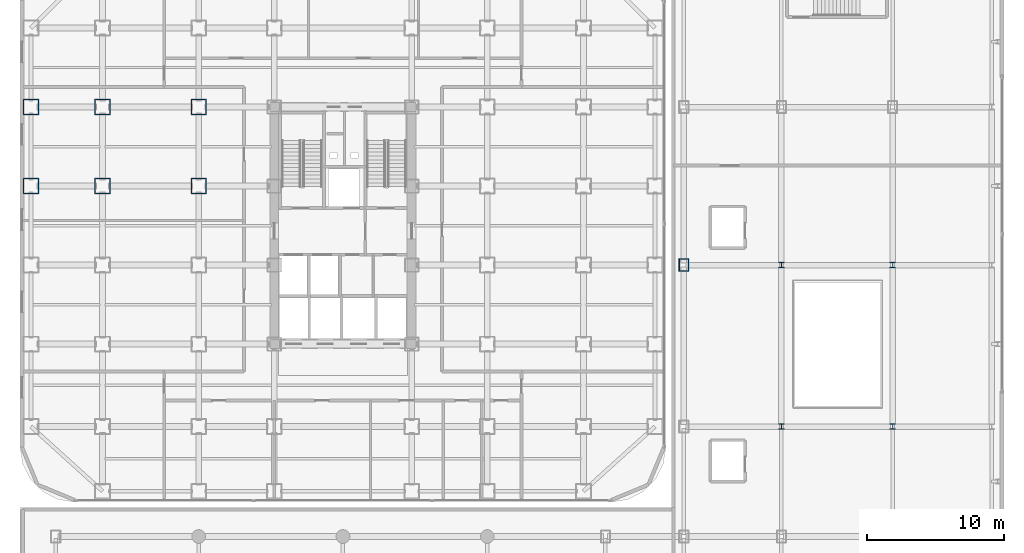
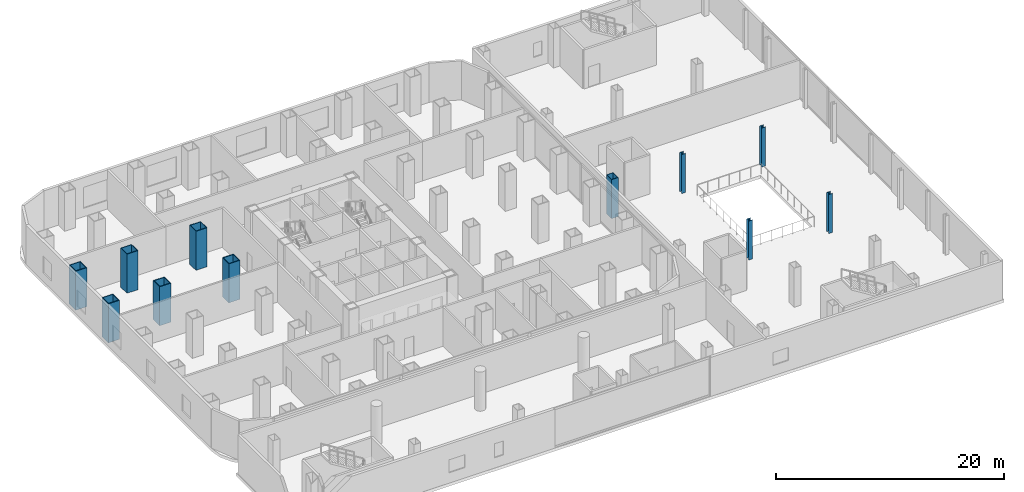
# One storey, part 2 of 27: 11 columns.
"""IFC4 building model written with IfcOpenShell, lengths in metres."""

from ifc_helpers import new_model, si_unit, direction, frame, origin, origin_2d, place, context, subcontext, project, spatial, hollow_rectangle, i_section, extrude, source, transform, mapped, material, material_profile, profile_set, type_object, element, save


model = new_model("IFC4")

# Units and contexts
model_context = context("Model", 3, precision=1e-05, world=origin(), true_north=direction((0.0, 1.0)))
body_context = subcontext(model_context, "Body", "Model", "MODEL_VIEW")
ifc_project = project(units=[si_unit("LENGTHUNIT", "METRE"), si_unit("AREAUNIT", "SQUARE_METRE"), si_unit("VOLUMEUNIT", "CUBIC_METRE"), si_unit("PLANEANGLEUNIT", "RADIAN"), si_unit("MASSUNIT", "GRAM", prefix="KILO")], contexts=[model_context])

# Site, building, storey
site_placement = place(None, origin())
site = spatial("IfcSite", under=ifc_project, at=site_placement, CompositionType="ELEMENT")
building_placement = place(site_placement, origin())
building = spatial("IfcBuilding", under=site, at=building_placement, Name="Kolveth Station Tower", CompositionType="ELEMENT")
storey_placement = place(building_placement, frame((0.0, 0.0, 13.5)))
storey = spatial("IfcBuildingStorey", under=building, at=storey_placement, Name="L03", CompositionType="ELEMENT", Elevation=13.5)

# Columns
ifc_material_1 = material(Name="Steel S460", Category="steel")
ifc_material_profile_1 = material_profile(ifc_material_1, hollow_rectangle(XDim=1.139892578125, YDim=1.139892578125, WallThickness=0.070068359375, at=origin_2d()), Name="BOX1140x1140x70")
ifc_profile_set_1 = profile_set([ifc_material_profile_1], Name="Steel S460")
column_type_1 = type_object("IfcColumnType", Name="Col_C1", PredefinedType="COLUMN", material=ifc_profile_set_1)
shared_shape_1 = source(origin(), body_context, "Body", "SweptSolid", [
    extrude(hollow_rectangle(XDim=1.139892578125, YDim=1.139892578125, WallThickness=0.070068359375, at=origin_2d()), origin(), (0.0, 0.0, 1.0), 4.179931640625),
])
for number, where, z_axis, x_axis, name in (
    (1, (0.800048828125, 23.0, 0.0), (0.0, 0.0, 1.0), (1.0, 0.0, 0.0), "L03 Tower Column W-Y230"),
    (2, (0.800048828125, 28.75, 0.0), (0.0, 0.0, 1.0), (1.0, 0.0, 0.0), "L03 Tower Column W-Y287"),
    (3, (6.0, 23.0, 0.0), (0.0, 0.0, 1.0), (1.0, 0.0, 0.0), "L03 Tower Column G-60-230"),
    (4, (6.0, 28.75, 0.0), (0.0, 0.0, 1.0), (1.0, 0.0, 0.0), "L03 Tower Column G-60-287"),
    (5, (13.0, 23.0, 0.0), (0.0, 0.0, 1.0), (1.0, 0.0, 0.0), "L03 Tower Column G-130-230"),
    (6, (13.0, 28.75, 0.0), (0.0, 0.0, 1.0), (1.0, 0.0, 0.0), "L03 Tower Column G-130-287"),
):
    element("IfcColumn", number, at=place(storey_placement, frame(where, z_axis=z_axis, x_axis=x_axis)), inside=storey, type_object=column_type_1, Name=name, PredefinedType="COLUMN", context=body_context, shape_type="MappedRepresentation", body=[
        mapped(shared_shape_1, transform((0.0, 0.0, 0.0), x_axis=(1.0, 0.0, 0.0), y_axis=(0.0, 1.0, 0.0), z_axis=(0.0, 0.0, 1.0), scale=1.0)),
    ])
ifc_material_2 = material(Name="Steel S355", Category="steel")
ifc_material_profile_2 = material_profile(ifc_material_2, hollow_rectangle(XDim=0.699951171875, YDim=0.89990234375, WallThickness=0.0400390625, at=origin_2d()), Name="BOX900x700x40")
ifc_profile_set_2 = profile_set([ifc_material_profile_2], Name="Steel S355")
column_type_2 = type_object("IfcColumnType", Name="Col_SC1", PredefinedType="COLUMN", material=ifc_profile_set_2)
shared_shape_2 = source(origin(), body_context, "Body", "SweptSolid", [
    extrude(hollow_rectangle(XDim=0.699951171875, YDim=0.89990234375, WallThickness=0.0400390625, at=origin_2d()), origin(), (0.0, 0.0, 1.0), 4.179931640625),
])
column_placement = place(storey_placement, frame((48.300048828125, 17.25, 0.0), z_axis=(0.0, 0.0, 1.0), x_axis=(1.0, 0.0, 0.0)))
element("IfcColumn", 7, at=column_placement, inside=storey, type_object=column_type_2, Name="L03 Station Column SE-1-4", PredefinedType="COLUMN", context=body_context, shape_type="MappedRepresentation", body=[
    mapped(shared_shape_2, transform((0.0, 0.0, 0.0), x_axis=(1.0, 0.0, 0.0), y_axis=(0.0, 1.0, 0.0), z_axis=(0.0, 0.0, 1.0), scale=1.0)),
])
ifc_material_profile_3 = material_profile(ifc_material_2, i_section(OverallWidth=0.39892578125, OverallDepth=0.39306640625, WebThickness=0.022705078125, FlangeThickness=0.03662109375, at=origin_2d()), Name="W360x287")
ifc_profile_set_3 = profile_set([ifc_material_profile_3], Name="Steel S355")
column_type_3 = type_object("IfcColumnType", Name="Col_CW1", PredefinedType="COLUMN", material=ifc_profile_set_3)
shared_shape_3 = source(origin(), body_context, "Body", "SweptSolid", [
    extrude(i_section(OverallWidth=0.39892578125, OverallDepth=0.39306640625, WebThickness=0.022705078125, FlangeThickness=0.03662109375, at=origin_2d()), origin(), (0.0, 0.0, 1.0), 4.179931640625),
])
for number, where, z_axis, x_axis, name in (
    (8, (55.39990234375, 5.5, 0.0), (0.0, 0.0, 1.0), (1.0, 0.0, 0.0), "L03 Station Column SE-2-3"),
    (9, (55.39990234375, 17.25, 0.0), (0.0, 0.0, 1.0), (1.0, 0.0, 0.0), "L03 Station Column SE-2-4"),
    (10, (63.5, 5.5, 0.0), (0.0, 0.0, 1.0), (1.0, 0.0, 0.0), "L03 Station Column SE-3-3"),
    (11, (63.5, 17.25, 0.0), (0.0, 0.0, 1.0), (1.0, 0.0, 0.0), "L03 Station Column SE-3-4"),
):
    element("IfcColumn", number, at=place(storey_placement, frame(where, z_axis=z_axis, x_axis=x_axis)), inside=storey, type_object=column_type_3, Name=name, PredefinedType="COLUMN", context=body_context, shape_type="MappedRepresentation", body=[
        mapped(shared_shape_3, transform((0.0, 0.0, 0.0), x_axis=(1.0, 0.0, 0.0), y_axis=(0.0, 1.0, 0.0), z_axis=(0.0, 0.0, 1.0), scale=1.0)),
    ])

save(model, "model.ifc")
